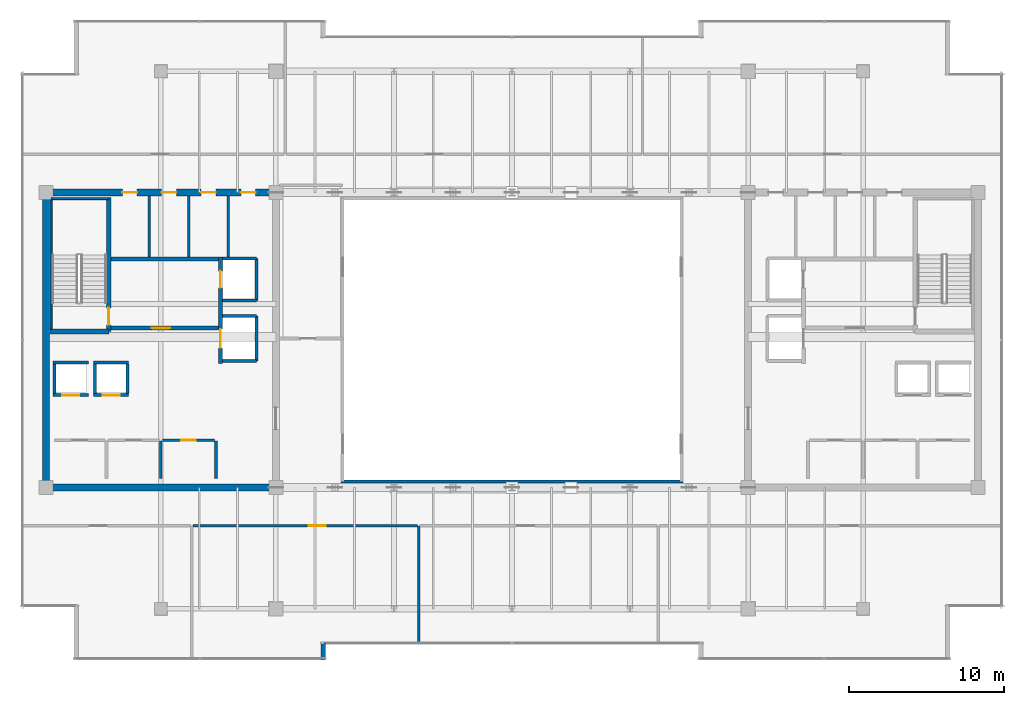
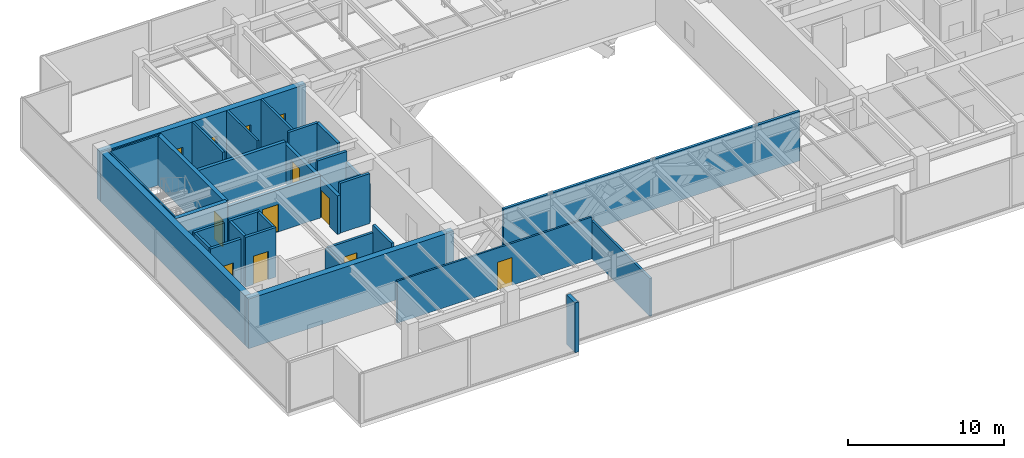
# One storey, part 26 of 32: 33 walls, 12 doors, 12 openings.
"""IFC4 building model written with IfcOpenShell, lengths in metres."""

import ifcopenshell
import ifcopenshell.guid

model = None  # the IFC model being written
_history = None  # IfcOwnerHistory: only IFC2X3 demands one
_inside = {}  # id of a spatial element -> (the spatial element, [elements in it])
_under = {}  # id of a project, library or spatial element -> (it, [spatial elements below it])
_declared = {}  # id of a project -> (the project, [libraries it declares])
_typed = {}  # id of a type object -> (the type object, [elements of that type])
_made_of = {}  # id of a material, layer set ... -> (it, [elements and type objects made of it])


def new_model(schema):
    """Start an empty IFC model of exactly this schema.

    Asked for "IFC4X3", IfcOpenShell would pick the latest addendum, in which some entities
    have other attributes; the version numbers below select the first issue.
    IFC2X3 requires an IfcOwnerHistory on every rooted entity: one is made here for all.
    """
    global model, _history
    if schema == "IFC4X3":
        model = ifcopenshell.file(schema_version=(4, 3, 0, 0))
    else:
        model = ifcopenshell.file(schema=schema)
    _inside.clear()
    _under.clear()
    _declared.clear()
    _typed.clear()
    _made_of.clear()
    _history = None
    if model.schema == "IFC2X3":
        org = make("IfcOrganization", Name="unknown")
        user = make(
            "IfcPersonAndOrganization",
            ThePerson=make("IfcPerson", FamilyName="unknown"),
            TheOrganization=org,
        )
        app = make(
            "IfcApplication",
            ApplicationDeveloper=org,
            Version="unknown",
            ApplicationFullName="unknown",
            ApplicationIdentifier="unknown",
        )
        _history = make(
            "IfcOwnerHistory",
            OwningUser=user,
            OwningApplication=app,
            ChangeAction="ADDED",
            CreationDate=0,
        )
    return model


def make(cls, **values):
    """One entity of the class cls with the attributes given. An attribute that is None is left unset."""
    return model.create_entity(
        cls, **{name: value for name, value in values.items() if value is not None}
    )


def rooted(cls, **values):
    """An entity with a GlobalId (a new one), such as an element, a storey or a relation."""
    return make(cls, GlobalId=ifcopenshell.guid.new(), OwnerHistory=_history, **values)


def si_unit(unit_type, name, prefix=None):
    """IfcSIUnit, for example si_unit("LENGTHUNIT", "METRE", prefix="MILLI")."""
    return make("IfcSIUnit", UnitType=unit_type, Prefix=prefix, Name=name)


def assignment(units):
    """IfcUnitAssignment: the units of a project."""
    return None if units is None else make("IfcUnitAssignment", Units=units)


def point(xyz):
    """IfcCartesianPoint."""
    return None if xyz is None else make("IfcCartesianPoint", Coordinates=xyz)


def direction(xyz):
    """IfcDirection."""
    return None if xyz is None else make("IfcDirection", DirectionRatios=xyz)


def frame(location, z_axis=None, x_axis=None):
    """IfcAxis2Placement3D, a coordinate frame: its origin and axes. An axis left out is left unset."""
    return make(
        "IfcAxis2Placement3D",
        Location=point(location),
        Axis=direction(z_axis),
        RefDirection=direction(x_axis),
    )


def frame_2d(location, x_axis=None):
    """IfcAxis2Placement2D, a coordinate frame in the plane: its origin and x axis."""
    return make(
        "IfcAxis2Placement2D", Location=point(location), RefDirection=direction(x_axis)
    )


def origin():
    """The frame at (0, 0, 0) with its axes left unset."""
    return frame((0.0, 0.0, 0.0))


def place(relative_to, where):
    """IfcLocalPlacement: puts the frame where relative to a parent placement (None: the world)."""
    return make(
        "IfcLocalPlacement", PlacementRelTo=relative_to, RelativePlacement=where
    )


def context(
    kind, dimensions, precision=None, world=None, true_north=None, identifier=None
):
    """IfcGeometricRepresentationContext, for example the 3D "Model" context."""
    return make(
        "IfcGeometricRepresentationContext",
        ContextIdentifier=identifier,
        ContextType=kind,
        CoordinateSpaceDimension=dimensions,
        Precision=precision,
        WorldCoordinateSystem=world,
        TrueNorth=true_north,
    )


def subcontext(parent, identifier, kind, view, scale=None):
    """IfcGeometricRepresentationSubContext, for example "Body" below "Model"."""
    return make(
        "IfcGeometricRepresentationSubContext",
        ContextIdentifier=identifier,
        ContextType=kind,
        ParentContext=parent,
        TargetScale=scale,
        TargetView=view,
    )


def project(units=None, contexts=None):
    """IfcProject with its units and contexts."""
    return rooted(
        "IfcProject",
        Name="project",
        RepresentationContexts=contexts,
        UnitsInContext=assignment(units),
    )


def spatial(cls, under=None, at=None, **own):
    """A site, building, storey or space (cls), placed at a placement, below another one or the project."""
    s = rooted(cls, ObjectPlacement=at, **own)
    if under is not None:
        _under.setdefault(under.id(), (under, []))[1].append(s)
    return s


def profile(cls, at=None, kind="AREA", **sizes):
    """A parametric profile (cls). Its sizes go by their IFC names, for example OverallWidth=200.0."""
    return make(cls, ProfileType=kind, Position=at, **sizes)


def rectangle(**sizes):
    """IfcRectangleProfileDef."""
    return profile("IfcRectangleProfileDef", **sizes)


def extrude(swept, where, along, depth):
    """IfcExtrudedAreaSolid: the profile swept, set in the frame where, extruded along a direction by depth."""
    return make(
        "IfcExtrudedAreaSolid",
        SweptArea=swept,
        Position=where,
        ExtrudedDirection=direction(along),
        Depth=depth,
    )


def shape(context_of_items, identifier, shape_type, items):
    """IfcShapeRepresentation: the items that make up one representation, for example the "Body"."""
    return make(
        "IfcShapeRepresentation",
        ContextOfItems=context_of_items,
        RepresentationIdentifier=identifier,
        RepresentationType=shape_type,
        Items=items,
    )


def source(mapping_origin, context_of_items, identifier, shape_type, items):
    """IfcRepresentationMap: a shape defined once, which mapped items show again and again."""
    return make(
        "IfcRepresentationMap",
        MappingOrigin=mapping_origin,
        MappedRepresentation=shape(context_of_items, identifier, shape_type, items),
    )


def transform(
    local_origin,
    x_axis=None,
    y_axis=None,
    z_axis=None,
    scale=None,
    scale2=None,
    scale3=None,
    uniform=True,
):
    """IfcCartesianTransformationOperator3D, or its non-uniform kind. x_axis, y_axis, z_axis: its Axis1, 2, 3."""
    if uniform:
        return make(
            "IfcCartesianTransformationOperator3D",
            Axis1=direction(x_axis),
            Axis2=direction(y_axis),
            LocalOrigin=point(local_origin),
            Scale=scale,
            Axis3=direction(z_axis),
        )
    return make(
        "IfcCartesianTransformationOperator3DnonUniform",
        Axis1=direction(x_axis),
        Axis2=direction(y_axis),
        LocalOrigin=point(local_origin),
        Scale=scale,
        Axis3=direction(z_axis),
        Scale2=scale2,
        Scale3=scale3,
    )


def mapped(mapping_source, mapping_target):
    """IfcMappedItem: shows the shape of a source again, moved by a transform."""
    return make(
        "IfcMappedItem", MappingSource=mapping_source, MappingTarget=mapping_target
    )


def material(Name=None, Category=None):
    """IfcMaterial."""
    return make("IfcMaterial", Name=Name, Category=Category)


def layer(
    of_material, thickness, ventilated=None, Name=None, Category=None, Priority=None
):
    """IfcMaterialLayer: one layer of a wall or slab, of a material (None: an air gap)."""
    return make(
        "IfcMaterialLayer",
        Material=of_material,
        LayerThickness=thickness,
        IsVentilated=ventilated,
        Name=Name,
        Category=Category,
        Priority=Priority,
    )


def layer_set(layers, Name=None):
    """IfcMaterialLayerSet."""
    return make("IfcMaterialLayerSet", MaterialLayers=layers, LayerSetName=Name)


def made_of(thing, what):
    """Note that an element or type object is made of a material, layer set ...; save() writes the relation."""
    if what is not None:
        _made_of.setdefault(what.id(), (what, []))[1].append(thing)
    return thing


def type_object(cls, material=None, **own):
    """A type object (cls), such as IfcWallType, which elements share."""
    return made_of(rooted(cls, **own), material)


def type_shapes(of_type, sources):
    """Give a type object the sources (RepresentationMaps) that its elements show as mapped items."""
    of_type.RepresentationMaps = sources


def element(
    cls,
    number,
    at=None,
    inside=None,
    cuts=None,
    type_object=None,
    material=None,
    context=None,
    identifier="Body",
    shape_type=None,
    held_by="IfcProductDefinitionShape",
    body=None,
    shapes=None,
    **own,
):
    """One element of the class cls, such as IfcWall. Its Tag is "e" and its number.

    at: its placement. inside: the storey or other place that contains it. cuts: it is an
    opening in that element (IfcRelVoidsElement). A single representation is given by context,
    identifier, shape_type and body (its items); several are given by shapes. held_by: the class
    of the entity that holds the representations. save() writes the other relations.
    """
    e = rooted(cls, Tag="e%d" % number, ObjectPlacement=at, **own)
    if body is not None:
        shapes = [shape(context, identifier, shape_type, body)]
    if shapes is not None:
        e.Representation = make(held_by, Representations=shapes)
    if inside is not None:
        _inside.setdefault(inside.id(), (inside, []))[1].append(e)
    if cuts is not None:
        rooted(
            "IfcRelVoidsElement", RelatingBuildingElement=cuts, RelatedOpeningElement=e
        )
    if type_object is not None:
        _typed.setdefault(type_object.id(), (type_object, []))[1].append(e)
    return made_of(e, material)


def fill(opening, filler):
    """IfcRelFillsElement: the door or window that sits in an opening."""
    return rooted(
        "IfcRelFillsElement",
        RelatingOpeningElement=opening,
        RelatedBuildingElement=filler,
    )


def aggregate(whole, parts):
    """IfcRelAggregates: a whole, such as a stair, and the parts it consists of."""
    return rooted("IfcRelAggregates", RelatingObject=whole, RelatedObjects=parts)


def save(model, path):
    """Write the relations noted so far, then the file.

    IfcRelAggregates (storeys below a building ...), IfcRelContainedInSpatialStructure (elements
    in a storey), IfcRelDefinesByType, IfcRelAssociatesMaterial and IfcRelDeclares: one each for
    every whole, place, type object, material and project.
    """
    for whole, parts in _under.values():
        aggregate(whole, parts)
    for where, things in _inside.values():
        rooted(
            "IfcRelContainedInSpatialStructure",
            RelatedElements=things,
            RelatingStructure=where,
        )
    for kind, things in _typed.values():
        rooted("IfcRelDefinesByType", RelatedObjects=things, RelatingType=kind)
    for what, things in _made_of.values():
        rooted("IfcRelAssociatesMaterial", RelatedObjects=things, RelatingMaterial=what)
    for by, libraries in _declared.values():
        rooted("IfcRelDeclares", RelatingContext=by, RelatedDefinitions=libraries)
    model.write(path)


model = new_model("IFC4")

# Units and contexts
model_context = context("Model", 3, precision=1e-05, world=origin(), true_north=direction((0.0, 1.0)))
body_context = subcontext(model_context, "Body", "Model", "MODEL_VIEW")
ifc_project = project(units=[si_unit("LENGTHUNIT", "METRE"), si_unit("AREAUNIT", "SQUARE_METRE"), si_unit("VOLUMEUNIT", "CUBIC_METRE"), si_unit("PLANEANGLEUNIT", "RADIAN"), si_unit("MASSUNIT", "GRAM", prefix="KILO")], contexts=[model_context])

# Site, building, storey
site_placement = place(None, origin())
site = spatial("IfcSite", under=ifc_project, at=site_placement, CompositionType="ELEMENT")
building_placement = place(site_placement, origin())
building = spatial("IfcBuilding", under=site, at=building_placement, Name="Haelvirn Gate Laboratories", CompositionType="ELEMENT")
storey_placement = place(building_placement, frame((0.0, 0.0, 314.39990234375)))
storey = spatial("IfcBuildingStorey", under=building, at=storey_placement, Name="L75", CompositionType="ELEMENT", Elevation=314.39990234375)

# Walls
ifc_material_1 = material(Name="Thermally-broken bronze aluminium rainscreen & mineral wool", Category="aluminium")
ifc_layer_1 = layer(ifc_material_1, 0.280029296875, Name="EW-TERR-280")
ifc_layer_set_1 = layer_set([ifc_layer_1], Name="Thermally-broken bronze aluminium rainscreen & mineral wool")
wall_type_1 = type_object("IfcWallType", Name="EW-TERR-280", PredefinedType="STANDARD", material=ifc_layer_set_1)
wall_1_placement = place(storey_placement, frame((25.260009765625, 3.699951171875, 0.0), z_axis=(0.0, 0.0, 1.0), x_axis=(0.0, 1.0, 0.0)))
element("IfcWall", 1, at=wall_1_placement, inside=storey, type_object=wall_type_1, Name="L75 Atrium Recess Bronze Return Wall 01", PredefinedType="STANDARD", context=body_context, shape_type="SweptSolid", body=[
    extrude(rectangle(XDim=1.093017578125, YDim=0.280029296875, at=frame_2d((0.54638671875, 0.0))), origin(), (0.0, 0.0, 1.0), 3.900146484375),
])
ifc_material_2 = material(Name="Double-layer acoustic gypsum laboratory partition", Category="gypsum")
ifc_layer_2 = layer(ifc_material_2, 0.159912109375, Name="IW-ACOUST-160")
ifc_layer_set_2 = layer_set([ifc_layer_2], Name="Double-layer acoustic gypsum laboratory partition")
wall_type_2 = type_object("IfcWallType", Name="IW-ACOUST-160", PredefinedType="PARTITIONING", material=ifc_layer_set_2)
wall_2_placement = place(storey_placement, frame((31.39990234375, 4.81005859375, 0.0), z_axis=(0.0, 0.0, 1.0), x_axis=(0.0, 1.0, 0.0)))
element("IfcWall", 2, at=wall_2_placement, inside=storey, type_object=wall_type_2, Name="L75 Interior Wall IW-L75-SDIV-02", PredefinedType="PARTITIONING", context=body_context, shape_type="SweptSolid", body=[
    extrude(rectangle(XDim=7.530029296875, YDim=0.159912109375, at=frame_2d((3.76513671875, 0.0))), origin(), (0.0, 0.0, 1.0), 2.985107421875),
])
ifc_material_3 = material(Name="Tempered fire-rated borosilicate glass & anodised aluminium", Category="aluminium")
ifc_layer_3 = layer(ifc_material_3, 0.195068359375, Name="IW-GLAZ-200")
ifc_layer_set_3 = layer_set([ifc_layer_3], Name="Tempered fire-rated borosilicate glass & anodised aluminium")
wall_type_3 = type_object("IfcWallType", Name="IW-GLAZ-200", PredefinedType="SOLIDWALL", material=ifc_layer_set_3)
wall_3_placement = place(storey_placement, frame((26.39990234375, 15.199951171875, 0.0), z_axis=(0.0, 0.0, 1.0), x_axis=(1.0, 0.0, 0.0)))
element("IfcWall", 3, at=wall_3_placement, inside=storey, type_object=wall_type_3, Name="L75 Interior Wall IW-L75-ATRIUM-S", PredefinedType="SOLIDWALL", context=body_context, shape_type="SweptSolid", body=[
    extrude(rectangle(XDim=22.0, YDim=0.195068359375, at=frame_2d((11.0, 0.0))), origin(), (0.0, 0.0, 1.0), 3.900146484375),
])

# Wall, opening, door
ifc_material_4 = material(Name="Acoustic mineral-wool gypsum board partition", Category="gypsum")
ifc_layer_4 = layer(ifc_material_4, 0.139892578125, Name="IW-PART-140")
ifc_layer_set_4 = layer_set([ifc_layer_4], Name="Acoustic mineral-wool gypsum board partition")
wall_type_4 = type_object("IfcWallType", Name="IW-PART-140", PredefinedType="PARTITIONING", material=ifc_layer_set_4)
wall_4_placement = place(storey_placement, frame((16.8798828125, 12.340087890625, 0.0), z_axis=(0.0, 0.0, 1.0), x_axis=(1.0, 0.0, 0.0)))
wall_4 = element("IfcWall", 4, at=wall_4_placement, inside=storey, type_object=wall_type_4, Name="L75 Interior Wall IW-L75-SCORR-02", PredefinedType="PARTITIONING", context=body_context, shape_type="SweptSolid", body=[
    extrude(rectangle(XDim=14.440185546875, YDim=0.139892578125, at=frame_2d((7.22021484375, 0.0))), origin(), (0.0, 0.0, 1.0), 3.297119140625),
])
opening_1_placement = place(wall_4_placement, frame((7.428466796875, 0.0, 0.0)))
opening_1 = element("IfcOpeningElement", 5, at=opening_1_placement, cuts=wall_4, Name="Opening D1", PredefinedType="OPENING", context=body_context, shape_type="SweptSolid", body=[
    extrude(rectangle(XDim=1.10009765625, YDim=2.179931640625, at=frame_2d((0.550048828125, 1.08984375))), frame((0.0, 0.080078125, 0.0), z_axis=(0.0, -1.0, 0.0), x_axis=(1.0, 0.0, 0.0)), (0.0, 0.0, 1.0), 0.159912109375),
])
ifc_material_5 = material(Name="Vision-panel acoustic solid-core timber lab door", Category="wood")
door_type_1 = type_object("IfcDoorType", Name="DR-LAB-1100", OperationType="NOTDEFINED", PredefinedType="DOOR", material=ifc_material_5)
shared_shape_1 = source(origin(), body_context, "Body", "SweptSolid", [
    extrude(rectangle(XDim=1.10009765625, YDim=2.179931640625, at=frame_2d((0.550048828125, 1.08984375))), frame((0.0, 0.02490234375, 0.0), z_axis=(0.0, -1.0, 0.0), x_axis=(1.0, 0.0, 0.0)), (0.0, 0.0, 1.0), 0.050048828125),
])
type_shapes(door_type_1, [shared_shape_1])
door_1_placement = place(opening_1_placement, origin())
door_1 = element("IfcDoor", 6, at=door_1_placement, inside=storey, type_object=door_type_1, Name="L75 Translational Data Office Door S2", OperationType="SINGLE_SWING_LEFT", OverallHeight=2.179931640625, OverallWidth=1.10009765625, PredefinedType="DOOR", context=body_context, shape_type="MappedRepresentation", body=[
    mapped(shared_shape_1, transform((0.0, 0.0, 0.0), scale=1.0)),
])
fill(opening_1, door_1)

# Walls
ifc_material_6 = material(Name="Cement-board restroom plumbing chase wall", Category="gypsum")
ifc_layer_5 = layer(ifc_material_6, 0.155029296875, Name="IW-PLUMB-160")
ifc_layer_set_5 = layer_set([ifc_layer_5], Name="Cement-board restroom plumbing chase wall")
wall_type_5 = type_object("IfcWallType", Name="IW-PLUMB-160", PredefinedType="PLUMBINGWALL", material=ifc_layer_set_5)
for number, where, z_axis, x_axis, name in (
    (7, (14.0400390625, 29.64990234375, 0.0), (0.0, 0.0, 1.0), (0.0, 1.0, 0.0), "L75 Interior Wall IW-L75-W-CDIV-1"),
    (8, (16.590087890625, 29.64990234375, 0.0), (0.0, 0.0, 1.0), (0.0, 1.0, 0.0), "L75 Interior Wall IW-L75-W-CDIV-2"),
    (9, (19.139892578125, 29.64990234375, 0.0), (0.0, 0.0, 1.0), (0.0, 1.0, 0.0), "L75 Interior Wall IW-L75-W-CDIV-3"),
):
    element("IfcWall", number, at=place(storey_placement, frame(where, z_axis=z_axis, x_axis=x_axis)), inside=storey, type_object=wall_type_5, Name=name, PredefinedType="PLUMBINGWALL", context=body_context, shape_type="SweptSolid", body=[
        extrude(rectangle(XDim=3.93017578125, YDim=0.155029296875, at=frame_2d((1.965087890625, 0.0))), origin(), (0.0, 0.0, 1.0), 3.900146484375),
    ])
ifc_material_7 = material(Name="Concrete C40/50", Category="concrete")
ifc_layer_6 = layer(ifc_material_7, 0.179931640625, Name="IW-SHAFT-180")
ifc_layer_set_6 = layer_set([ifc_layer_6], Name="Concrete C40/50")
wall_type_6 = type_object("IfcWallType", Name="IW-SHAFT-180", PredefinedType="SOLIDWALL", material=ifc_layer_set_6)
for number, where, z_axis, x_axis, name in (
    (10, (7.949951171875, 20.85009765625, 0.0), (0.0, 0.0, 1.0), (0.0, 1.0, 0.0), "L75 Interior Wall IW-L75-PL9-SD"),
    (11, (10.550048828125, 20.85009765625, 0.0), (0.0, 0.0, 1.0), (0.0, 1.0, 0.0), "L75 Interior Wall IW-L75-PL10-SD"),
    (12, (12.64990234375, 20.85009765625, 0.0), (0.0, 0.0, 1.0), (0.0, 1.0, 0.0), "L75 Interior Wall IW-L75-PL10-SDE"),
):
    element("IfcWall", number, at=place(storey_placement, frame(where, z_axis=z_axis, x_axis=x_axis)), inside=storey, type_object=wall_type_6, Name=name, PredefinedType="SOLIDWALL", context=body_context, shape_type="SweptSolid", body=[
        extrude(rectangle(XDim=1.89990234375, YDim=0.179931640625, at=frame_2d((0.949951171875, 0.0))), origin(), (0.0, 0.0, 1.0), 3.900146484375),
    ])
wall_5_placement = place(storey_placement, frame((14.7900390625, 15.39990234375, 0.0), z_axis=(0.0, 0.0, 1.0), x_axis=(0.0, 1.0, 0.0)))
element("IfcWall", 13, at=wall_5_placement, inside=storey, type_object=wall_type_6, Name="L75 Interior Wall IW-L75-W-FREED-HE-2", PredefinedType="SOLIDWALL", context=body_context, shape_type="SweptSolid", body=[
    extrude(rectangle(XDim=2.400146484375, YDim=0.179931640625, at=frame_2d((1.2001953125, 0.0))), origin(), (0.0, 0.0, 1.0), 3.297119140625),
])

# Wall, opening, door
wall_6_placement = place(storey_placement, frame((14.89990234375, 17.85009765625, 0.0), z_axis=(0.0, 0.0, 1.0), x_axis=(1.0, 0.0, 0.0)))
wall_6 = element("IfcWall", 14, at=wall_6_placement, inside=storey, type_object=wall_type_6, Name="L75 Interior Wall IW-L75-W-FREED-HN-3", PredefinedType="SOLIDWALL", context=body_context, shape_type="SweptSolid", body=[
    extrude(rectangle(XDim=3.35009765625, YDim=0.179931640625, at=frame_2d((1.675048828125, 0.0))), origin(), (0.0, 0.0, 1.0), 3.297119140625),
])
opening_2_placement = place(wall_6_placement, frame((1.199951171875, 0.0, 0.0)))
opening_2 = element("IfcOpeningElement", 15, at=opening_2_placement, cuts=wall_6, Name="Opening FD4", PredefinedType="OPENING", context=body_context, shape_type="SweptSolid", body=[
    extrude(rectangle(XDim=0.949951171875, YDim=2.14990234375, at=frame_2d((0.47509765625, 1.074951171875))), frame((0.0, 0.10009765625, 0.0), z_axis=(0.0, -1.0, 0.0), x_axis=(1.0, 0.0, 0.0)), (0.0, 0.0, 1.0), 0.199951171875),
])
ifc_material_8 = material(Name="Fire-rated steel SM355 core service door", Category="steel")
door_type_2 = type_object("IfcDoorType", Name="DR-FD-950", OperationType="NOTDEFINED", PredefinedType="DOOR", material=ifc_material_8)
shared_shape_2 = source(origin(), body_context, "Body", "SweptSolid", [
    extrude(rectangle(XDim=0.949951171875, YDim=2.14990234375, at=frame_2d((0.47509765625, 1.074951171875))), frame((0.0, 0.02490234375, 0.0), z_axis=(0.0, -1.0, 0.0), x_axis=(1.0, 0.0, 0.0)), (0.0, 0.0, 1.0), 0.050048828125),
])
type_shapes(door_type_2, [shared_shape_2])
door_2_placement = place(opening_2_placement, origin())
door_2 = element("IfcDoor", 16, at=door_2_placement, inside=storey, type_object=door_type_2, Name="L75 Calibration Metrology Room Door", OperationType="SINGLE_SWING_LEFT", OverallHeight=2.14990234375, OverallWidth=0.949951171875, PredefinedType="DOOR", context=body_context, shape_type="MappedRepresentation", body=[
    mapped(shared_shape_2, transform((0.0, 0.0, 0.0), scale=1.0)),
])
fill(opening_2, door_2)

# Wall
wall_7_placement = place(storey_placement, frame((18.340087890625, 15.39990234375, 0.0), z_axis=(0.0, 0.0, 1.0), x_axis=(0.0, 1.0, 0.0)))
element("IfcWall", 17, at=wall_7_placement, inside=storey, type_object=wall_type_6, Name="L75 Interior Wall IW-L75-W-FREED-HE-3", PredefinedType="SOLIDWALL", context=body_context, shape_type="SweptSolid", body=[
    extrude(rectangle(XDim=2.400146484375, YDim=0.179931640625, at=frame_2d((1.2001953125, 0.0))), origin(), (0.0, 0.0, 1.0), 3.900146484375),
])

# Wall, opening, door
ifc_layer_7 = layer(ifc_material_7, 0.199951171875, Name="IW-SHAFT-200")
ifc_layer_set_7 = layer_set([ifc_layer_7], Name="Concrete C40/50")
wall_type_7 = type_object("IfcWallType", Name="IW-SHAFT-200", PredefinedType="SOLIDWALL", material=ifc_layer_set_7)
wall_8_placement = place(storey_placement, frame((7.8701171875, 20.75, 0.0), z_axis=(0.0, 0.0, 1.0), x_axis=(1.0, 0.0, 0.0)))
wall_8 = element("IfcWall", 18, at=wall_8_placement, inside=storey, type_object=wall_type_7, Name="L75 Interior Wall IW-L75-PL9-FR", PredefinedType="SOLIDWALL", context=body_context, shape_type="SweptSolid", body=[
    extrude(rectangle(XDim=2.259765625, YDim=0.199951171875, at=frame_2d((1.1298828125, 0.0))), origin(), (0.0, 0.0, 1.0), 3.900146484375),
])
opening_3_placement = place(wall_8_placement, frame((0.580078125, 0.0, 0.0)))
opening_3 = element("IfcOpeningElement", 19, at=opening_3_placement, cuts=wall_8, Name="Opening LD2", PredefinedType="OPENING", context=body_context, shape_type="SweptSolid", body=[
    extrude(rectangle(XDim=1.10009765625, YDim=2.219970703125, at=frame_2d((0.550048828125, 1.10986328125))), frame((0.0, 0.10986328125, 0.0), z_axis=(0.0, -1.0, 0.0), x_axis=(1.0, 0.0, 0.0)), (0.0, 0.0, 1.0), 0.219970703125),
])
ifc_material_9 = material(Name="Bronze stainless 316L sliding lift landing door")
door_type_3 = type_object("IfcDoorType", Name="DR-LD-1100", OperationType="NOTDEFINED", PredefinedType="USERDEFINED", material=ifc_material_9)
shared_shape_3 = source(origin(), body_context, "Body", "SweptSolid", [
    extrude(rectangle(XDim=1.10009765625, YDim=2.219970703125, at=frame_2d((0.550048828125, 1.10986328125))), frame((0.0, 0.02490234375, 0.0), z_axis=(0.0, -1.0, 0.0), x_axis=(1.0, 0.0, 0.0)), (0.0, 0.0, 1.0), 0.050048828125),
])
type_shapes(door_type_3, [shared_shape_3])
door_3_placement = place(opening_3_placement, origin())
door_3 = element("IfcDoor", 20, at=door_3_placement, inside=storey, type_object=door_type_3, Name="L75 Passenger Lift PL9 Landing Door", ObjectType="LANDING_DOOR", OperationType="SLIDING_TO_LEFT", OverallHeight=2.219970703125, OverallWidth=1.10009765625, PredefinedType="USERDEFINED", context=body_context, shape_type="MappedRepresentation", body=[
    mapped(shared_shape_3, transform((0.0, 0.0, 0.0), scale=1.0)),
])
fill(opening_3, door_3)

# Wall
wall_9_placement = place(storey_placement, frame((7.8701171875, 22.85009765625, 0.0), z_axis=(0.0, 0.0, 1.0), x_axis=(1.0, 0.0, 0.0)))
element("IfcWall", 21, at=wall_9_placement, inside=storey, type_object=wall_type_7, Name="L75 Interior Wall IW-L75-PL9-BK", PredefinedType="SOLIDWALL", context=body_context, shape_type="SweptSolid", body=[
    extrude(rectangle(XDim=2.259765625, YDim=0.199951171875, at=frame_2d((1.1298828125, 0.0))), origin(), (0.0, 0.0, 1.0), 3.900146484375),
])

# Wall, opening, door
wall_10_placement = place(storey_placement, frame((10.469970703125, 20.75, 0.0), z_axis=(0.0, 0.0, 1.0), x_axis=(1.0, 0.0, 0.0)))
wall_10 = element("IfcWall", 22, at=wall_10_placement, inside=storey, type_object=wall_type_7, Name="L75 Interior Wall IW-L75-PL10-FR", PredefinedType="SOLIDWALL", context=body_context, shape_type="SweptSolid", body=[
    extrude(rectangle(XDim=2.260009765625, YDim=0.199951171875, at=frame_2d((1.1298828125, 0.0))), origin(), (0.0, 0.0, 1.0), 3.900146484375),
])
opening_4_placement = place(wall_10_placement, frame((0.580078125, 0.0, 0.0)))
opening_4 = element("IfcOpeningElement", 23, at=opening_4_placement, cuts=wall_10, Name="Opening LD2", PredefinedType="OPENING", context=body_context, shape_type="SweptSolid", body=[
    extrude(rectangle(XDim=1.10009765625, YDim=2.219970703125, at=frame_2d((0.550048828125, 1.10986328125))), frame((0.0, 0.10986328125, 0.0), z_axis=(0.0, -1.0, 0.0), x_axis=(1.0, 0.0, 0.0)), (0.0, 0.0, 1.0), 0.219970703125),
])
door_4_placement = place(opening_4_placement, origin())
door_4 = element("IfcDoor", 24, at=door_4_placement, inside=storey, type_object=door_type_3, Name="L75 Passenger Lift PL10 Landing Door", ObjectType="LANDING_DOOR", OperationType="SLIDING_TO_RIGHT", OverallHeight=2.219970703125, OverallWidth=1.10009765625, PredefinedType="USERDEFINED", context=body_context, shape_type="MappedRepresentation", body=[
    mapped(shared_shape_3, transform((0.0, 0.0, 0.0), scale=1.0)),
])
fill(opening_4, door_4)

# Walls
wall_11_placement = place(storey_placement, frame((10.469970703125, 22.85009765625, 0.0), z_axis=(0.0, 0.0, 1.0), x_axis=(1.0, 0.0, 0.0)))
element("IfcWall", 25, at=wall_11_placement, inside=storey, type_object=wall_type_7, Name="L75 Interior Wall IW-L75-PL10-BK", PredefinedType="SOLIDWALL", context=body_context, shape_type="SweptSolid", body=[
    extrude(rectangle(XDim=2.260009765625, YDim=0.199951171875, at=frame_2d((1.1298828125, 0.0))), origin(), (0.0, 0.0, 1.0), 3.900146484375),
])
wall_12_placement = place(storey_placement, frame((20.949951171875, 26.85009765625, 0.0), z_axis=(0.0, 0.0, 1.0), x_axis=(0.0, 1.0, 0.0)))
element("IfcWall", 26, at=wall_12_placement, inside=storey, type_object=wall_type_7, Name="L75 Interior Wall IW-L75-FL1-BK", PredefinedType="SOLIDWALL", context=body_context, shape_type="SweptSolid", body=[
    extrude(rectangle(XDim=2.699951171875, YDim=0.199951171875, at=frame_2d((1.35009765625, 0.0))), origin(), (0.0, 0.0, 1.0), 3.900146484375),
])
wall_13_placement = place(storey_placement, frame((18.760009765625, 29.550048828125, 0.0), z_axis=(0.0, 0.0, 1.0), x_axis=(1.0, 0.0, 0.0)))
element("IfcWall", 27, at=wall_13_placement, inside=storey, type_object=wall_type_7, Name="L75 Interior Wall IW-L75-FL1-N", PredefinedType="SOLIDWALL", context=body_context, shape_type="SweptSolid", body=[
    extrude(rectangle(XDim=2.18994140625, YDim=0.199951171875, at=frame_2d((1.094970703125, 0.0))), origin(), (0.0, 0.0, 1.0), 3.900146484375),
])
wall_14_placement = place(storey_placement, frame((18.760009765625, 26.85009765625, 0.0), z_axis=(0.0, 0.0, 1.0), x_axis=(1.0, 0.0, 0.0)))
element("IfcWall", 28, at=wall_14_placement, inside=storey, type_object=wall_type_7, Name="L75 Interior Wall IW-L75-FL1-S", PredefinedType="SOLIDWALL", context=body_context, shape_type="SweptSolid", body=[
    extrude(rectangle(XDim=2.18994140625, YDim=0.199951171875, at=frame_2d((1.094970703125, 0.0))), origin(), (0.0, 0.0, 1.0), 3.297119140625),
])
wall_15_placement = place(storey_placement, frame((20.949951171875, 22.949951171875, 0.0), z_axis=(0.0, 0.0, 1.0), x_axis=(0.0, 1.0, 0.0)))
element("IfcWall", 29, at=wall_15_placement, inside=storey, type_object=wall_type_7, Name="L75 Interior Wall IW-L75-SL1-BK", PredefinedType="SOLIDWALL", context=body_context, shape_type="SweptSolid", body=[
    extrude(rectangle(XDim=2.900146484375, YDim=0.199951171875, at=frame_2d((1.4501953125, 0.0))), origin(), (0.0, 0.0, 1.0), 3.03515625),
])
for number, where, z_axis, x_axis, name in (
    (30, (18.760009765625, 25.85009765625, 0.0), (0.0, 0.0, 1.0), (1.0, 0.0, 0.0), "L75 Interior Wall IW-L75-SL1-N"),
    (31, (18.760009765625, 22.949951171875, 0.0), (0.0, 0.0, 1.0), (1.0, 0.0, 0.0), "L75 Interior Wall IW-L75-SL1-S"),
):
    element("IfcWall", number, at=place(storey_placement, frame(where, z_axis=z_axis, x_axis=x_axis)), inside=storey, type_object=wall_type_7, Name=name, PredefinedType="SOLIDWALL", context=body_context, shape_type="SweptSolid", body=[
        extrude(rectangle(XDim=2.18994140625, YDim=0.199951171875, at=frame_2d((1.094970703125, 0.0))), origin(), (0.0, 0.0, 1.0), 3.900146484375),
    ])

# Wall, opening, door
ifc_layer_8 = layer(ifc_material_7, 0.239990234375, Name="IW-SHAFT-240")
ifc_layer_set_8 = layer_set([ifc_layer_8], Name="Concrete C40/50")
wall_type_8 = type_object("IfcWallType", Name="IW-SHAFT-240", PredefinedType="SOLIDWALL", material=ifc_layer_set_8)
wall_16_placement = place(storey_placement, frame((11.60009765625, 25.080078125, 0.0), z_axis=(0.0, 0.0, 1.0), x_axis=(1.0, 0.0, 0.0)))
wall_16 = element("IfcWall", 32, at=wall_16_placement, inside=storey, type_object=wall_type_8, Name="L75 Interior Wall IW-L75-W-FF-S", PredefinedType="SOLIDWALL", context=body_context, shape_type="SweptSolid", body=[
    extrude(rectangle(XDim=6.919921875, YDim=0.239990234375, at=frame_2d((3.4599609375, 0.0))), origin(), (0.0, 0.0, 1.0), 3.297119140625),
])
opening_5_placement = place(wall_16_placement, frame((2.60009765625, 0.0, 0.0)))
opening_5 = element("IfcOpeningElement", 33, at=opening_5_placement, cuts=wall_16, Name="Opening FD2", PredefinedType="OPENING", context=body_context, shape_type="SweptSolid", body=[
    extrude(rectangle(XDim=1.199951171875, YDim=2.159912109375, at=frame_2d((0.60009765625, 1.080078125))), frame((0.0, 0.1298828125, 0.0), z_axis=(0.0, -1.0, 0.0), x_axis=(1.0, 0.0, 0.0)), (0.0, 0.0, 1.0), 0.260009765625),
])
ifc_material_10 = material(Name="Fire-rated steel SM355 compartment door", Category="steel")
door_type_4 = type_object("IfcDoorType", Name="DR-FD-1200", OperationType="NOTDEFINED", PredefinedType="DOOR", material=ifc_material_10)
shared_shape_4 = source(origin(), body_context, "Body", "SweptSolid", [
    extrude(rectangle(XDim=1.199951171875, YDim=2.159912109375, at=frame_2d((0.60009765625, 1.080078125))), frame((0.0, 0.02490234375, 0.0), z_axis=(0.0, -1.0, 0.0), x_axis=(1.0, 0.0, 0.0)), (0.0, 0.0, 1.0), 0.050048828125),
])
type_shapes(door_type_4, [shared_shape_4])
door_5_placement = place(opening_5_placement, origin())
door_5 = element("IfcDoor", 34, at=door_5_placement, inside=storey, type_object=door_type_4, Name="L75 West Firefighting Lobby Door", OperationType="SINGLE_SWING_RIGHT", OverallHeight=2.159912109375, OverallWidth=1.199951171875, PredefinedType="DOOR", context=body_context, shape_type="MappedRepresentation", body=[
    mapped(shared_shape_4, transform((0.0, 0.0, 0.0), scale=1.0)),
])
fill(opening_5, door_5)

# Wall
wall_17_placement = place(storey_placement, frame((11.60009765625, 29.52001953125, 0.0), z_axis=(0.0, 0.0, 1.0), x_axis=(1.0, 0.0, 0.0)))
element("IfcWall", 35, at=wall_17_placement, inside=storey, type_object=wall_type_8, Name="L75 Interior Wall IW-L75-W-FF-N", PredefinedType="SOLIDWALL", context=body_context, shape_type="SweptSolid", body=[
    extrude(rectangle(XDim=6.919921875, YDim=0.239990234375, at=frame_2d((3.4599609375, 0.0))), origin(), (0.0, 0.0, 1.0), 3.297119140625),
])

# Wall, openings, doors
wall_18_placement = place(storey_placement, frame((18.639892578125, 22.800048828125, 0.0), z_axis=(0.0, 0.0, 1.0), x_axis=(0.0, 1.0, 0.0)))
wall_18 = element("IfcWall", 36, at=wall_18_placement, inside=storey, type_object=wall_type_8, Name="L75 Interior Wall IW-L75-W-FF-E", PredefinedType="SOLIDWALL", context=body_context, shape_type="SweptSolid", body=[
    extrude(rectangle(XDim=6.849853515625, YDim=0.239990234375, at=frame_2d((3.4248046875, 0.0))), origin(), (0.0, 0.0, 1.0), 3.03515625),
])
opening_6_placement = place(wall_18_placement, frame((4.85009765625, 0.0, 0.0)))
opening_6 = element("IfcOpeningElement", 37, at=opening_6_placement, cuts=wall_18, Name="Opening LD2", PredefinedType="OPENING", context=body_context, shape_type="SweptSolid", body=[
    extrude(rectangle(XDim=1.10009765625, YDim=2.219970703125, at=frame_2d((0.550048828125, 1.10986328125))), frame((0.0, 0.1298828125, 0.0), z_axis=(0.0, -1.0, 0.0), x_axis=(1.0, 0.0, 0.0)), (0.0, 0.0, 1.0), 0.260009765625),
])
opening_7_placement = place(wall_18_placement, frame((1.0, 0.0, 0.0)))
opening_7 = element("IfcOpeningElement", 38, at=opening_7_placement, cuts=wall_18, Name="Opening LD1", PredefinedType="OPENING", context=body_context, shape_type="SweptSolid", body=[
    extrude(rectangle(XDim=1.199951171875, YDim=2.219970703125, at=frame_2d((0.60009765625, 1.10986328125))), frame((0.0, 0.1298828125, 0.0), z_axis=(0.0, -1.0, 0.0), x_axis=(1.0, 0.0, 0.0)), (0.0, 0.0, 1.0), 0.260009765625),
])
door_6_placement = place(opening_6_placement, origin())
door_6 = element("IfcDoor", 39, at=door_6_placement, inside=storey, type_object=door_type_3, Name="L75 Firefighting Lift FL1 Landing Door", ObjectType="LANDING_DOOR", OperationType="SLIDING_TO_LEFT", OverallHeight=2.219970703125, OverallWidth=1.10009765625, PredefinedType="USERDEFINED", context=body_context, shape_type="MappedRepresentation", body=[
    mapped(shared_shape_3, transform((0.0, 0.0, 0.0), scale=1.0)),
])
fill(opening_6, door_6)
ifc_material_11 = material(Name="Stainless steel 316L sliding goods landing door", Category="steel")
door_type_5 = type_object("IfcDoorType", Name="DR-LD-1200", OperationType="NOTDEFINED", PredefinedType="USERDEFINED", material=ifc_material_11)
shared_shape_5 = source(origin(), body_context, "Body", "SweptSolid", [
    extrude(rectangle(XDim=1.199951171875, YDim=2.219970703125, at=frame_2d((0.60009765625, 1.10986328125))), frame((0.0, 0.02490234375, 0.0), z_axis=(0.0, -1.0, 0.0), x_axis=(1.0, 0.0, 0.0)), (0.0, 0.0, 1.0), 0.050048828125),
])
type_shapes(door_type_5, [shared_shape_5])
door_7_placement = place(opening_7_placement, origin())
door_7 = element("IfcDoor", 40, at=door_7_placement, inside=storey, type_object=door_type_5, Name="L75 Service Lift SL1 Landing Door", ObjectType="LANDING_DOOR", OperationType="SLIDING_TO_RIGHT", OverallHeight=2.219970703125, OverallWidth=1.199951171875, PredefinedType="USERDEFINED", context=body_context, shape_type="MappedRepresentation", body=[
    mapped(shared_shape_5, transform((0.0, 0.0, 0.0), scale=1.0)),
])
fill(opening_7, door_7)

# Wall
ifc_material_12 = material(Name="Concrete C50/60", Category="concrete")
ifc_layer_9 = layer(ifc_material_12, 0.449951171875, Name="SW-CORE-450")
ifc_layer_set_9 = layer_set([ifc_layer_9], Name="Concrete C50/60")
wall_type_9 = type_object("IfcWallType", Name="SW-CORE-450", PredefinedType="SHEAR", material=ifc_layer_set_9)
wall_19_placement = place(storey_placement, frame((7.175048828125, 14.800048828125, 0.0), z_axis=(0.0, 0.0, 1.0), x_axis=(1.0, 0.0, 0.0)))
element("IfcWall", 41, at=wall_19_placement, inside=storey, type_object=wall_type_9, Name="L75 W Core Shear Wall S", PredefinedType="SHEAR", context=body_context, shape_type="SweptSolid", body=[
    extrude(rectangle(XDim=15.25, YDim=0.449951171875, at=frame_2d((7.625, 0.0))), origin(), (0.0, 0.0, 1.0), 3.900146484375),
])

# Wall, openings, doors
wall_20_placement = place(storey_placement, frame((7.175048828125, 33.800048828125, 0.0), z_axis=(0.0, 0.0, 1.0), x_axis=(1.0, 0.0, 0.0)))
wall_20 = element("IfcWall", 42, at=wall_20_placement, inside=storey, type_object=wall_type_9, Name="L75 W Core Shear Wall N", PredefinedType="SHEAR", context=body_context, shape_type="SweptSolid", body=[
    extrude(rectangle(XDim=15.25, YDim=0.449951171875, at=frame_2d((7.625, 0.0))), origin(), (0.0, 0.0, 1.0), 3.900146484375),
])
opening_8_placement = place(wall_20_placement, frame((5.14990234375, 0.0, 0.0)))
opening_8 = element("IfcOpeningElement", 43, at=opening_8_placement, cuts=wall_20, Name="Opening FD4", PredefinedType="OPENING", context=body_context, shape_type="SweptSolid", body=[
    extrude(rectangle(XDim=0.949951171875, YDim=2.14990234375, at=frame_2d((0.47509765625, 1.074951171875))), frame((0.0, 0.23486328125, 0.0), z_axis=(0.0, -1.0, 0.0), x_axis=(1.0, 0.0, 0.0)), (0.0, 0.0, 1.0), 0.469970703125),
])
opening_9_placement = place(wall_20_placement, frame((7.6650390625, 0.0, 0.0)))
opening_9 = element("IfcOpeningElement", 44, at=opening_9_placement, cuts=wall_20, Name="Opening FD4", PredefinedType="OPENING", context=body_context, shape_type="SweptSolid", body=[
    extrude(rectangle(XDim=0.949951171875, YDim=2.14990234375, at=frame_2d((0.47509765625, 1.074951171875))), frame((0.0, 0.23486328125, 0.0), z_axis=(0.0, -1.0, 0.0), x_axis=(1.0, 0.0, 0.0)), (0.0, 0.0, 1.0), 0.469970703125),
])
opening_10_placement = place(wall_20_placement, frame((10.215087890625, 0.0, 0.0)))
opening_10 = element("IfcOpeningElement", 45, at=opening_10_placement, cuts=wall_20, Name="Opening FD4", PredefinedType="OPENING", context=body_context, shape_type="SweptSolid", body=[
    extrude(rectangle(XDim=0.949951171875, YDim=2.14990234375, at=frame_2d((0.47509765625, 1.074951171875))), frame((0.0, 0.23486328125, 0.0), z_axis=(0.0, -1.0, 0.0), x_axis=(1.0, 0.0, 0.0)), (0.0, 0.0, 1.0), 0.469970703125),
])
opening_11_placement = place(wall_20_placement, frame((12.764892578125, 0.0, 0.0)))
opening_11 = element("IfcOpeningElement", 46, at=opening_11_placement, cuts=wall_20, Name="Opening FD4", PredefinedType="OPENING", context=body_context, shape_type="SweptSolid", body=[
    extrude(rectangle(XDim=0.949951171875, YDim=2.14990234375, at=frame_2d((0.47509765625, 1.074951171875))), frame((0.0, 0.23486328125, 0.0), z_axis=(0.0, -1.0, 0.0), x_axis=(1.0, 0.0, 0.0)), (0.0, 0.0, 1.0), 0.469970703125),
])
door_8_placement = place(opening_8_placement, origin())
door_8 = element("IfcDoor", 47, at=door_8_placement, inside=storey, type_object=door_type_2, Name="L75 Male Restroom Fire Door", OperationType="SINGLE_SWING_RIGHT", OverallHeight=2.14990234375, OverallWidth=0.949951171875, PredefinedType="DOOR", context=body_context, shape_type="MappedRepresentation", body=[
    mapped(shared_shape_2, transform((0.0, 0.0, 0.0), scale=1.0)),
])
fill(opening_8, door_8)
door_9_placement = place(opening_9_placement, origin())
door_9 = element("IfcDoor", 48, at=door_9_placement, inside=storey, type_object=door_type_2, Name="L75 Female Restroom Fire Door", OperationType="SINGLE_SWING_LEFT", OverallHeight=2.14990234375, OverallWidth=0.949951171875, PredefinedType="DOOR", context=body_context, shape_type="MappedRepresentation", body=[
    mapped(shared_shape_2, transform((0.0, 0.0, 0.0), scale=1.0)),
])
fill(opening_9, door_9)
door_10_placement = place(opening_10_placement, origin())
door_10 = element("IfcDoor", 49, at=door_10_placement, inside=storey, type_object=door_type_2, Name="L75 Accessible Restroom Fire Door", OperationType="SINGLE_SWING_RIGHT", OverallHeight=2.14990234375, OverallWidth=0.949951171875, PredefinedType="DOOR", context=body_context, shape_type="MappedRepresentation", body=[
    mapped(shared_shape_2, transform((0.0, 0.0, 0.0), scale=1.0)),
])
fill(opening_10, door_10)
door_11_placement = place(opening_11_placement, origin())
door_11 = element("IfcDoor", 50, at=door_11_placement, inside=storey, type_object=door_type_2, Name="L75 Decontamination Shower Washroom Fire Door", OperationType="SINGLE_SWING_LEFT", OverallHeight=2.14990234375, OverallWidth=0.949951171875, PredefinedType="DOOR", context=body_context, shape_type="MappedRepresentation", body=[
    mapped(shared_shape_2, transform((0.0, 0.0, 0.0), scale=1.0)),
])
fill(opening_11, door_11)

# Walls
wall_21_placement = place(storey_placement, frame((7.39990234375, 15.02490234375, 0.0), z_axis=(0.0, 0.0, 1.0), x_axis=(0.0, 1.0, 0.0)))
element("IfcWall", 51, at=wall_21_placement, inside=storey, type_object=wall_type_9, Name="L75 W Core Shear Wall W", PredefinedType="SHEAR", context=body_context, shape_type="SweptSolid", body=[
    extrude(rectangle(XDim=18.550048828125, YDim=0.449951171875, at=frame_2d((9.27490234375, 0.0))), origin(), (0.0, 0.0, 1.0), 3.900146484375),
])
ifc_layer_10 = layer(ifc_material_12, 0.1201171875, Name="SW-LINER-120")
ifc_layer_set_10 = layer_set([ifc_layer_10], Name="Concrete C50/60")
wall_type_10 = type_object("IfcWallType", Name="SW-LINER-120", PredefinedType="SOLIDWALL", material=ifc_layer_set_10)
wall_22_placement = place(storey_placement, frame((7.72998046875, 33.39990234375, 0.0), z_axis=(0.0, 0.0, 1.0), x_axis=(1.0, 0.0, 0.0)))
element("IfcWall", 52, at=wall_22_placement, inside=storey, type_object=wall_type_10, Name="L75 W Core Stair Shaft Liner Wall N", PredefinedType="SOLIDWALL", context=body_context, shape_type="SweptSolid", body=[
    extrude(rectangle(XDim=3.719970703125, YDim=0.1201171875, at=frame_2d((1.85986328125, 0.0))), origin(), (0.0, 0.0, 1.0), 3.900146484375),
])
wall_23_placement = place(storey_placement, frame((7.72998046875, 25.0, 0.0), z_axis=(0.0, 0.0, 1.0), x_axis=(0.0, 1.0, 0.0)))
element("IfcWall", 53, at=wall_23_placement, inside=storey, type_object=wall_type_10, Name="L75 W Core Stair Shaft Liner Wall OUT", PredefinedType="SOLIDWALL", context=body_context, shape_type="SweptSolid", body=[
    extrude(rectangle(XDim=8.320068359375, YDim=0.1201171875, at=frame_2d((4.16015625, 0.0))), origin(), (0.0, 0.0, 1.0), 3.900146484375),
])

# Wall, opening, door
ifc_layer_11 = layer(ifc_material_12, 0.300048828125, Name="SW-STAIR-300")
ifc_layer_set_11 = layer_set([ifc_layer_11], Name="Concrete C50/60")
wall_type_11 = type_object("IfcWallType", Name="SW-STAIR-300", PredefinedType="SHEAR", material=ifc_layer_set_11)
wall_24_placement = place(storey_placement, frame((11.449951171875, 24.85009765625, 0.0), z_axis=(0.0, 0.0, 1.0), x_axis=(0.0, 1.0, 0.0)))
wall_24 = element("IfcWall", 54, at=wall_24_placement, inside=storey, type_object=wall_type_11, Name="L75 W Core Stair Shaft Structural Wall IN", PredefinedType="SHEAR", context=body_context, shape_type="SweptSolid", body=[
    extrude(rectangle(XDim=8.6298828125, YDim=0.300048828125, at=frame_2d((4.31494140625, 0.0))), origin(), (0.0, 0.0, 1.0), 3.900146484375),
])
opening_12_placement = place(wall_24_placement, frame((0.419921875, 0.0, 0.0)))
opening_12 = element("IfcOpeningElement", 55, at=opening_12_placement, cuts=wall_24, Name="Opening FD3", PredefinedType="OPENING", context=body_context, shape_type="SweptSolid", body=[
    extrude(rectangle(XDim=1.10009765625, YDim=2.14990234375, at=frame_2d((0.550048828125, 1.074951171875))), frame((0.0, 0.16015625, 0.0), z_axis=(0.0, -1.0, 0.0), x_axis=(1.0, 0.0, 0.0)), (0.0, 0.0, 1.0), 0.320068359375),
])
ifc_material_13 = material(Name="Fire-rated steel SM355 escape stair door", Category="steel")
door_type_6 = type_object("IfcDoorType", Name="DR-FD-1100", OperationType="NOTDEFINED", PredefinedType="DOOR", material=ifc_material_13)
shared_shape_6 = source(origin(), body_context, "Body", "SweptSolid", [
    extrude(rectangle(XDim=1.10009765625, YDim=2.14990234375, at=frame_2d((0.550048828125, 1.074951171875))), frame((0.0, 0.02490234375, 0.0), z_axis=(0.0, -1.0, 0.0), x_axis=(1.0, 0.0, 0.0)), (0.0, 0.0, 1.0), 0.050048828125),
])
type_shapes(door_type_6, [shared_shape_6])
door_12_placement = place(opening_12_placement, origin())
door_12 = element("IfcDoor", 56, at=door_12_placement, inside=storey, type_object=door_type_6, Name="L75 Escape Stair ST1 Fire Door", OperationType="SINGLE_SWING_LEFT", OverallHeight=2.14990234375, OverallWidth=1.10009765625, PredefinedType="DOOR", context=body_context, shape_type="MappedRepresentation", body=[
    mapped(shared_shape_6, transform((0.0, 0.0, 0.0), scale=1.0)),
])
fill(opening_12, door_12)

# Wall
wall_25_placement = place(storey_placement, frame((7.64990234375, 24.85009765625, 0.0), z_axis=(0.0, 0.0, 1.0), x_axis=(1.0, 0.0, 0.0)))
element("IfcWall", 57, at=wall_25_placement, inside=storey, type_object=wall_type_11, Name="L75 W Core Stair Shaft Structural Wall S", PredefinedType="SHEAR", context=body_context, shape_type="SweptSolid", body=[
    extrude(rectangle(XDim=3.800048828125, YDim=0.300048828125, at=frame_2d((1.89990234375, 0.0))), origin(), (0.0, 0.0, 1.0), 3.900146484375),
])

save(model, "model.ifc")
